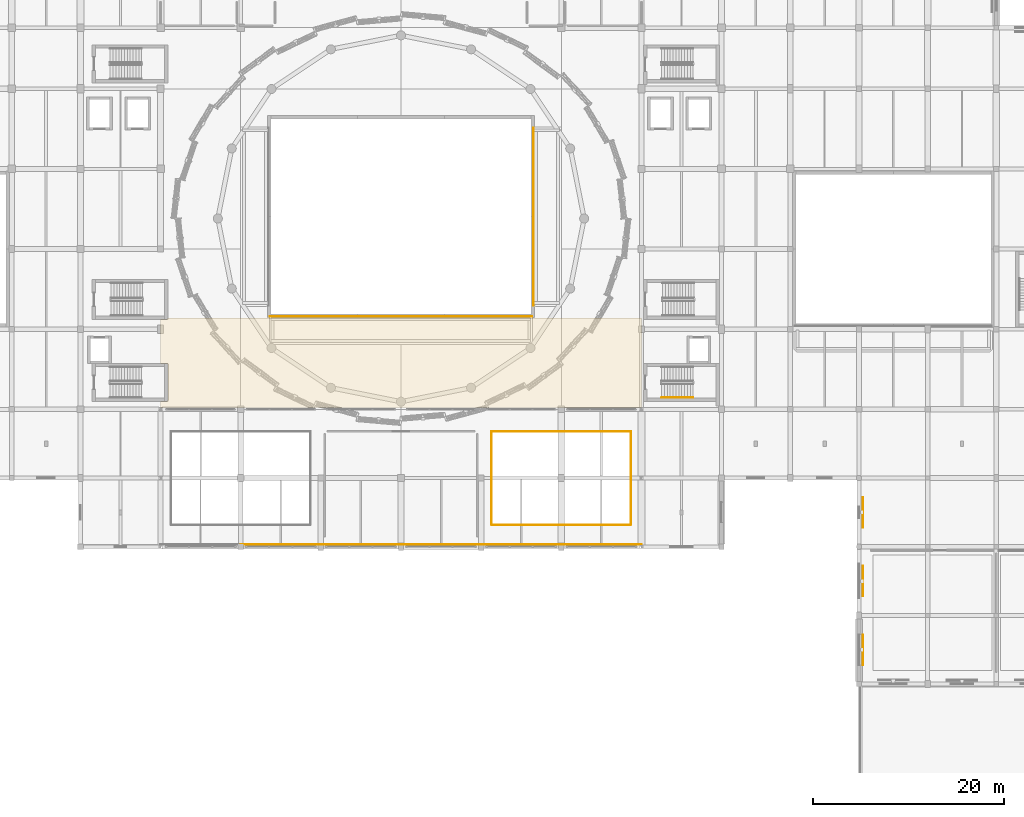
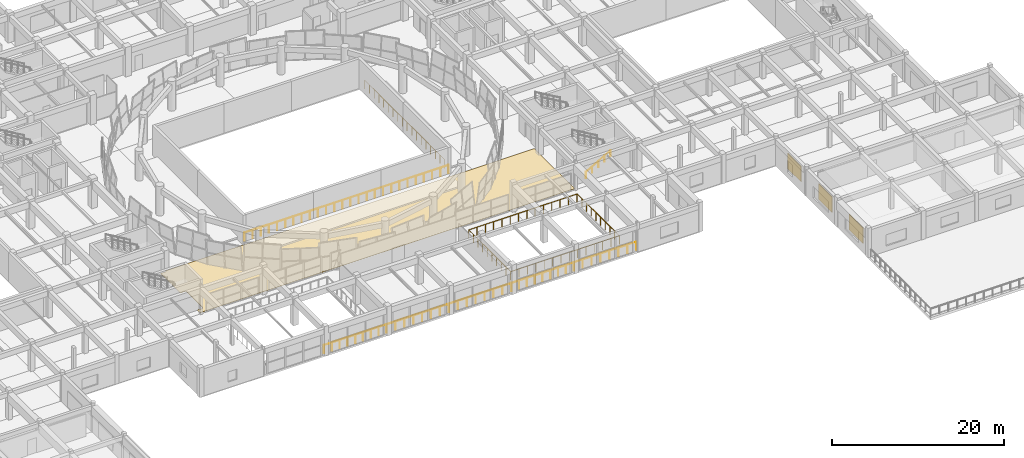
# One storey, part 63 of 71: 10 railings, 3 shading devices, 1 covering.
"""IFC4 building model written with IfcOpenShell, lengths in metres."""

from ifc_helpers import new_model, si_unit, direction, frame, origin, origin_2d, place, context, subcontext, project, spatial, polyline, rectangle, circle, outline, extrude, material, layer, layer_set, type_object, element, save


model = new_model("IFC4")

# Units and contexts
model_context = context("Model", 3, precision=1e-05, world=origin(), true_north=direction((0.0, 1.0)))
body_context = subcontext(model_context, "Body", "Model", "MODEL_VIEW")
ifc_project = project(units=[si_unit("LENGTHUNIT", "METRE"), si_unit("AREAUNIT", "SQUARE_METRE"), si_unit("VOLUMEUNIT", "CUBIC_METRE"), si_unit("PLANEANGLEUNIT", "RADIAN"), si_unit("MASSUNIT", "GRAM", prefix="KILO")], contexts=[model_context])

# Site, building, storey
site_placement = place(None, origin())
site = spatial("IfcSite", under=ifc_project, at=site_placement, CompositionType="ELEMENT")
building_placement = place(site_placement, origin())
building = spatial("IfcBuilding", under=site, at=building_placement, Name="Korsvaeld Concert Hall", CompositionType="ELEMENT")
storey_placement = place(building_placement, frame((0.0, 0.0, 4.800048828125)))
storey = spatial("IfcBuildingStorey", under=building, at=storey_placement, Name="L01", CompositionType="ELEMENT", Elevation=4.800048828125)

# Covering
ifc_material_1 = material(Name="Sprung European oak stage and foyer flooring")
ifc_layer_1 = layer(ifc_material_1, 0.034912109375)
ifc_layer_set_1 = layer_set([ifc_layer_1], Name="Sprung European oak stage and foyer flooring")
covering_type = type_object("IfcCoveringType", Name="COV-FLOOR-OAK", PredefinedType="FLOORING", material=ifc_layer_set_1)
covering_placement = place(storey_placement, origin())
element("IfcCovering", 1, at=covering_placement, inside=storey, type_object=covering_type, Name="Sprung oak acoustic floor L01-03", PredefinedType="FLOORING", context=body_context, shape_type="SweptSolid", body=[
    extrude(outline(polyline([(109.199951171875, 52.800048828125), (109.199951171875, 43.39990234375), (58.800048828125, 43.39990234375), (58.800048828125, 44.02001953125), (59.39990234375, 44.02001953125), (59.41748046875, 44.02099609375), (59.43505859375, 44.0234375), (59.452392578125, 44.02783203125), (59.468994140625, 44.03369140625), (59.48486328125, 44.041259765625), (59.5, 44.05029296875), (59.51416015625, 44.060791015625), (59.52734375, 44.07275390625), (59.5390625, 44.085693359375), (59.5498046875, 44.10009765625), (59.55859375, 44.114990234375), (59.56640625, 44.131103515625), (59.572265625, 44.147705078125), (59.576416015625, 44.164794921875), (59.5791015625, 44.182373046875), (59.580078125, 44.199951171875), (59.580078125, 47.840087890625), (59.5791015625, 47.857666015625), (59.576416015625, 47.875), (59.572265625, 47.892333984375), (59.56640625, 47.908935546875), (59.55859375, 47.9248046875), (59.5498046875, 47.93994140625), (59.5390625, 47.9541015625), (59.52734375, 47.96728515625), (59.51416015625, 47.97900390625), (59.5, 47.98974609375), (59.48486328125, 47.998779296875), (59.468994140625, 48.00634765625), (59.452392578125, 48.01220703125), (59.43505859375, 48.0166015625), (59.41748046875, 48.01904296875), (59.39990234375, 48.02001953125), (58.800048828125, 48.02001953125), (58.800048828125, 52.6201171875), (59.39990234375, 52.6201171875), (59.41748046875, 52.620849609375), (59.43505859375, 52.62353515625), (59.452392578125, 52.627685546875), (59.468994140625, 52.6337890625), (59.48486328125, 52.641357421875), (59.5, 52.650390625), (59.51416015625, 52.660888671875), (59.52734375, 52.672607421875), (59.5390625, 52.685791015625), (59.5498046875, 52.699951171875), (59.55859375, 52.715087890625), (59.56640625, 52.731201171875), (59.572265625, 52.747802734375), (59.576416015625, 52.764892578125), (59.5791015625, 52.782470703125), (59.580078125, 52.800048828125), (109.199951171875, 52.800048828125)])), origin(), (0.0, 0.0, 1.0), 0.034912109375),
])

# Railings
ifc_material_2 = material(Name="European oak and bronze stair handrail")
railing_type_1 = type_object("IfcRailingType", Name="RL-STAIR-HAND-90", PredefinedType="HANDRAIL", material=ifc_material_2)
railing_1_placement = place(storey_placement, frame((111.320068359375, 44.419921875, 0.175048828125)))
element("IfcRailing", 2, at=railing_1_placement, inside=storey, type_object=railing_type_1, Name="L01 ST-K4 stair handrail 1", PredefinedType="HANDRAIL", context=body_context, shape_type="SweptSolid", body=[
    extrude(circle(Radius=0.02392578125, at=origin_2d()), frame((0.0, 0.0, 0.8759765625), z_axis=(0.863804395585, 0.0, 0.503827317807), x_axis=(0.0, 1.0, 0.0)), (0.0, 0.0, 1.0), 3.8203125),
    extrude(circle(Radius=0.02099609375, at=origin_2d()), origin(), (0.0, 0.0, 1.0), 0.851806640625),
    extrude(circle(Radius=0.02099609375, at=origin_2d()), frame((0.824951171875, 0.0, 0.481201171875)), (0.0, 0.0, 1.0), 0.851806640625),
    extrude(circle(Radius=0.02099609375, at=origin_2d()), frame((1.64990234375, 0.0, 0.96240234375)), (0.0, 0.0, 1.0), 0.851806640625),
    extrude(circle(Radius=0.02099609375, at=origin_2d()), frame((2.47509765625, 0.0, 1.443603515625)), (0.0, 0.0, 1.0), 0.851806640625),
    extrude(circle(Radius=0.02099609375, at=origin_2d()), frame((3.300048828125, 0.0, 1.9248046875)), (0.0, 0.0, 1.0), 0.851806640625),
])
ifc_material_3 = material(Name="Anodised architectural bronze guardrail")
railing_type_2 = type_object("IfcRailingType", Name="RL-TERR-GUARD-120", PredefinedType="GUARDRAIL", material=ifc_material_3)
railing_2_placement = place(storey_placement, frame((109.199951171875, 29.050048828125, 0.0)))
element("IfcRailing", 3, at=railing_2_placement, inside=storey, type_object=railing_type_2, Name="Wintergarden glazed front guardrail CW-FOY-L01-07", PredefinedType="GUARDRAIL", context=body_context, shape_type="SweptSolid", body=[
    extrude(circle(Radius=0.02392578125, at=origin_2d()), frame((0.0, 0.0, 1.17578125), z_axis=(-1.0, 0.0, 0.0), x_axis=(0.0, -1.0, 0.0)), (0.0, 0.0, 1.0), 8.39990234375),
    extrude(circle(Radius=0.02099609375, at=origin_2d()), origin(), (0.0, 0.0, 1.0), 1.15185546875),
    extrude(circle(Radius=0.02099609375, at=origin_2d()), frame((-1.199951171875, 0.0, 0.0)), (0.0, 0.0, 1.0), 1.15185546875),
    extrude(circle(Radius=0.02099609375, at=origin_2d()), frame((-2.39990234375, 0.0, 0.0)), (0.0, 0.0, 1.0), 1.15185546875),
    extrude(circle(Radius=0.02099609375, at=origin_2d()), frame((-3.599853515625, 0.0, 0.0)), (0.0, 0.0, 1.0), 1.15185546875),
    extrude(circle(Radius=0.02099609375, at=origin_2d()), frame((-4.800048828125, 0.0, 0.0)), (0.0, 0.0, 1.0), 1.15185546875),
    extrude(circle(Radius=0.02099609375, at=origin_2d()), frame((-6.0, 0.0, 0.0)), (0.0, 0.0, 1.0), 1.15185546875),
    extrude(circle(Radius=0.02099609375, at=origin_2d()), frame((-7.199951171875, 0.0, 0.0)), (0.0, 0.0, 1.0), 1.15185546875),
    extrude(circle(Radius=0.02099609375, at=origin_2d()), frame((-8.39990234375, 0.0, 0.0)), (0.0, 0.0, 1.0), 1.15185546875),
])
railing_3_placement = place(storey_placement, frame((100.800048828125, 29.050048828125, 0.0)))
element("IfcRailing", 4, at=railing_3_placement, inside=storey, type_object=railing_type_2, Name="Wintergarden glazed front guardrail CW-FOY-L01-08", PredefinedType="GUARDRAIL", context=body_context, shape_type="SweptSolid", body=[
    extrude(circle(Radius=0.02392578125, at=origin_2d()), frame((0.0, 0.0, 1.17578125), z_axis=(-1.0, 0.0, 0.0), x_axis=(0.0, -1.0, 0.0)), (0.0, 0.0, 1.0), 8.400146484375),
    extrude(circle(Radius=0.02099609375, at=origin_2d()), origin(), (0.0, 0.0, 1.0), 1.15185546875),
    extrude(circle(Radius=0.02099609375, at=origin_2d()), frame((-1.050048828125, 0.0, 0.0)), (0.0, 0.0, 1.0), 1.15185546875),
    extrude(circle(Radius=0.02099609375, at=origin_2d()), frame((-2.10009765625, 0.0, 0.0)), (0.0, 0.0, 1.0), 1.15185546875),
    extrude(circle(Radius=0.02099609375, at=origin_2d()), frame((-3.150146484375, 0.0, 0.0)), (0.0, 0.0, 1.0), 1.15185546875),
    extrude(circle(Radius=0.02099609375, at=origin_2d()), frame((-4.2001953125, 0.0, 0.0)), (0.0, 0.0, 1.0), 1.15185546875),
    extrude(circle(Radius=0.02099609375, at=origin_2d()), frame((-5.25, 0.0, 0.0)), (0.0, 0.0, 1.0), 1.15185546875),
    extrude(circle(Radius=0.02099609375, at=origin_2d()), frame((-6.300048828125, 0.0, 0.0)), (0.0, 0.0, 1.0), 1.15185546875),
    extrude(circle(Radius=0.02099609375, at=origin_2d()), frame((-7.35009765625, 0.0, 0.0)), (0.0, 0.0, 1.0), 1.15185546875),
    extrude(circle(Radius=0.02099609375, at=origin_2d()), frame((-8.400146484375, 0.0, 0.0)), (0.0, 0.0, 1.0), 1.15185546875),
])
for number, where, name in (
    (5, (92.39990234375, 29.050048828125, 0.0), "Wintergarden glazed front guardrail CW-FOY-L01-09"),
    (6, (84.0, 29.050048828125, 0.0), "Wintergarden glazed front guardrail CW-FOY-L01-10"),
):
    element("IfcRailing", number, at=place(storey_placement, frame(where)), inside=storey, type_object=railing_type_2, Name=name, PredefinedType="GUARDRAIL", context=body_context, shape_type="SweptSolid", body=[
        extrude(circle(Radius=0.02392578125, at=origin_2d()), frame((0.0, 0.0, 1.17578125), z_axis=(-1.0, 0.0, 0.0), x_axis=(0.0, -1.0, 0.0)), (0.0, 0.0, 1.0), 8.39990234375),
        extrude(circle(Radius=0.02099609375, at=origin_2d()), origin(), (0.0, 0.0, 1.0), 1.15185546875),
        extrude(circle(Radius=0.02099609375, at=origin_2d()), frame((-1.199951171875, 0.0, 0.0)), (0.0, 0.0, 1.0), 1.15185546875),
        extrude(circle(Radius=0.02099609375, at=origin_2d()), frame((-2.39990234375, 0.0, 0.0)), (0.0, 0.0, 1.0), 1.15185546875),
        extrude(circle(Radius=0.02099609375, at=origin_2d()), frame((-3.599853515625, 0.0, 0.0)), (0.0, 0.0, 1.0), 1.15185546875),
        extrude(circle(Radius=0.02099609375, at=origin_2d()), frame((-4.800048828125, 0.0, 0.0)), (0.0, 0.0, 1.0), 1.15185546875),
        extrude(circle(Radius=0.02099609375, at=origin_2d()), frame((-6.0, 0.0, 0.0)), (0.0, 0.0, 1.0), 1.15185546875),
        extrude(circle(Radius=0.02099609375, at=origin_2d()), frame((-7.199951171875, 0.0, 0.0)), (0.0, 0.0, 1.0), 1.15185546875),
        extrude(circle(Radius=0.02099609375, at=origin_2d()), frame((-8.39990234375, 0.0, 0.0)), (0.0, 0.0, 1.0), 1.15185546875),
    ])
railing_4_placement = place(storey_placement, frame((75.60009765625, 29.050048828125, 0.0)))
element("IfcRailing", 7, at=railing_4_placement, inside=storey, type_object=railing_type_2, Name="Wintergarden glazed front guardrail CW-FOY-L01-11", PredefinedType="GUARDRAIL", context=body_context, shape_type="SweptSolid", body=[
    extrude(circle(Radius=0.02392578125, at=origin_2d()), frame((0.0, 0.0, 1.17578125), z_axis=(-1.0, 0.0, 0.0), x_axis=(0.0, -1.0, 0.0)), (0.0, 0.0, 1.0), 8.400146484375),
    extrude(circle(Radius=0.02099609375, at=origin_2d()), origin(), (0.0, 0.0, 1.0), 1.15185546875),
    extrude(circle(Radius=0.02099609375, at=origin_2d()), frame((-1.050048828125, 0.0, 0.0)), (0.0, 0.0, 1.0), 1.15185546875),
    extrude(circle(Radius=0.02099609375, at=origin_2d()), frame((-2.10009765625, 0.0, 0.0)), (0.0, 0.0, 1.0), 1.15185546875),
    extrude(circle(Radius=0.02099609375, at=origin_2d()), frame((-3.150146484375, 0.0, 0.0)), (0.0, 0.0, 1.0), 1.15185546875),
    extrude(circle(Radius=0.02099609375, at=origin_2d()), frame((-4.2001953125, 0.0, 0.0)), (0.0, 0.0, 1.0), 1.15185546875),
    extrude(circle(Radius=0.02099609375, at=origin_2d()), frame((-5.25, 0.0, 0.0)), (0.0, 0.0, 1.0), 1.15185546875),
    extrude(circle(Radius=0.02099609375, at=origin_2d()), frame((-6.300048828125, 0.0, 0.0)), (0.0, 0.0, 1.0), 1.15185546875),
    extrude(circle(Radius=0.02099609375, at=origin_2d()), frame((-7.35009765625, 0.0, 0.0)), (0.0, 0.0, 1.0), 1.15185546875),
    extrude(circle(Radius=0.02099609375, at=origin_2d()), frame((-8.400146484375, 0.0, 0.0)), (0.0, 0.0, 1.0), 1.15185546875),
])
ifc_material_4 = material(Name="Acoustic laminated glass and oak auditorium balustrade", Category="glass")
railing_type_3 = type_object("IfcRailingType", Name="RL-VOID-BAL-120", PredefinedType="BALUSTRADE", material=ifc_material_4)
railing_5_placement = place(storey_placement, frame((93.5, 31.10009765625, 0.0)))
element("IfcRailing", 8, at=railing_5_placement, inside=storey, type_object=railing_type_3, Name="Wintergarden atrium void balustrade VOID_WG_E_L01 SE", PredefinedType="BALUSTRADE", context=body_context, shape_type="SweptSolid", body=[
    extrude(circle(Radius=0.02392578125, at=origin_2d()), frame((0.0, 0.0, 1.17578125), z_axis=(1.0, 0.0, 0.0), x_axis=(0.0, 1.0, 0.0)), (0.0, 0.0, 1.0), 14.60009765625),
    extrude(circle(Radius=0.02392578125, at=origin_2d()), frame((14.60009765625, 0.0, 1.17578125), z_axis=(0.0, 1.0, 0.0), x_axis=(-1.0, 0.0, 0.0)), (0.0, 0.0, 1.0), 9.7998046875),
    extrude(circle(Radius=0.02099609375, at=origin_2d()), origin(), (0.0, 0.0, 1.0), 1.15185546875),
    extrude(circle(Radius=0.02099609375, at=origin_2d()), frame((1.123046875, 0.0, 0.0)), (0.0, 0.0, 1.0), 1.15185546875),
    extrude(circle(Radius=0.02099609375, at=origin_2d()), frame((2.24609375, 0.0, 0.0)), (0.0, 0.0, 1.0), 1.15185546875),
    extrude(circle(Radius=0.02099609375, at=origin_2d()), frame((3.369140625, 0.0, 0.0)), (0.0, 0.0, 1.0), 1.15185546875),
    extrude(circle(Radius=0.02099609375, at=origin_2d()), frame((4.492431640625, 0.0, 0.0)), (0.0, 0.0, 1.0), 1.15185546875),
    extrude(circle(Radius=0.02099609375, at=origin_2d()), frame((5.615478515625, 0.0, 0.0)), (0.0, 0.0, 1.0), 1.15185546875),
    extrude(circle(Radius=0.02099609375, at=origin_2d()), frame((6.738525390625, 0.0, 0.0)), (0.0, 0.0, 1.0), 1.15185546875),
    extrude(circle(Radius=0.02099609375, at=origin_2d()), frame((7.861572265625, 0.0, 0.0)), (0.0, 0.0, 1.0), 1.15185546875),
    extrude(circle(Radius=0.02099609375, at=origin_2d()), frame((8.984619140625, 0.0, 0.0)), (0.0, 0.0, 1.0), 1.15185546875),
    extrude(circle(Radius=0.02099609375, at=origin_2d()), frame((10.107666015625, 0.0, 0.0)), (0.0, 0.0, 1.0), 1.15185546875),
    extrude(circle(Radius=0.02099609375, at=origin_2d()), frame((11.23095703125, 0.0, 0.0)), (0.0, 0.0, 1.0), 1.15185546875),
    extrude(circle(Radius=0.02099609375, at=origin_2d()), frame((12.35400390625, 0.0, 0.0)), (0.0, 0.0, 1.0), 1.15185546875),
    extrude(circle(Radius=0.02099609375, at=origin_2d()), frame((13.47705078125, 0.0, 0.0)), (0.0, 0.0, 1.0), 1.15185546875),
    extrude(circle(Radius=0.02099609375, at=origin_2d()), frame((14.60009765625, 0.0, 0.0)), (0.0, 0.0, 1.0), 1.15185546875),
    extrude(circle(Radius=0.02099609375, at=origin_2d()), frame((14.60009765625, 1.0888671875, 0.0)), (0.0, 0.0, 1.0), 1.15185546875),
    extrude(circle(Radius=0.02099609375, at=origin_2d()), frame((14.60009765625, 2.177734375, 0.0)), (0.0, 0.0, 1.0), 1.15185546875),
    extrude(circle(Radius=0.02099609375, at=origin_2d()), frame((14.60009765625, 3.2666015625, 0.0)), (0.0, 0.0, 1.0), 1.15185546875),
    extrude(circle(Radius=0.02099609375, at=origin_2d()), frame((14.60009765625, 4.35546875, 0.0)), (0.0, 0.0, 1.0), 1.15185546875),
    extrude(circle(Radius=0.02099609375, at=origin_2d()), frame((14.60009765625, 5.4443359375, 0.0)), (0.0, 0.0, 1.0), 1.15185546875),
    extrude(circle(Radius=0.02099609375, at=origin_2d()), frame((14.60009765625, 6.533203125, 0.0)), (0.0, 0.0, 1.0), 1.15185546875),
    extrude(circle(Radius=0.02099609375, at=origin_2d()), frame((14.60009765625, 7.6220703125, 0.0)), (0.0, 0.0, 1.0), 1.15185546875),
    extrude(circle(Radius=0.02099609375, at=origin_2d()), frame((14.60009765625, 8.7109375, 0.0)), (0.0, 0.0, 1.0), 1.15185546875),
    extrude(circle(Radius=0.02099609375, at=origin_2d()), frame((14.60009765625, 9.7998046875, 0.0)), (0.0, 0.0, 1.0), 1.15185546875),
])
railing_6_placement = place(storey_placement, frame((108.02001953125, 40.89990234375, 0.0)))
element("IfcRailing", 9, at=railing_6_placement, inside=storey, type_object=railing_type_3, Name="Wintergarden atrium void balustrade VOID_WG_E_L01 NW", PredefinedType="BALUSTRADE", context=body_context, shape_type="SweptSolid", body=[
    extrude(circle(Radius=0.02392578125, at=origin_2d()), frame((0.0, 0.0, 1.17578125), z_axis=(-1.0, 0.0, 0.0), x_axis=(0.0, -1.0, 0.0)), (0.0, 0.0, 1.0), 14.52001953125),
    extrude(circle(Radius=0.02392578125, at=origin_2d()), frame((-14.52001953125, 0.0, 1.17578125), z_axis=(0.0, -1.0, 0.0), x_axis=(1.0, 0.0, 0.0)), (0.0, 0.0, 1.0), 9.719970703125),
    extrude(circle(Radius=0.02099609375, at=origin_2d()), origin(), (0.0, 0.0, 1.0), 1.15185546875),
    extrude(circle(Radius=0.02099609375, at=origin_2d()), frame((-1.116943359375, 0.0, 0.0)), (0.0, 0.0, 1.0), 1.15185546875),
    extrude(circle(Radius=0.02099609375, at=origin_2d()), frame((-2.23388671875, 0.0, 0.0)), (0.0, 0.0, 1.0), 1.15185546875),
    extrude(circle(Radius=0.02099609375, at=origin_2d()), frame((-3.350830078125, 0.0, 0.0)), (0.0, 0.0, 1.0), 1.15185546875),
    extrude(circle(Radius=0.02099609375, at=origin_2d()), frame((-4.4677734375, 0.0, 0.0)), (0.0, 0.0, 1.0), 1.15185546875),
    extrude(circle(Radius=0.02099609375, at=origin_2d()), frame((-5.584716796875, 0.0, 0.0)), (0.0, 0.0, 1.0), 1.15185546875),
    extrude(circle(Radius=0.02099609375, at=origin_2d()), frame((-6.70166015625, 0.0, 0.0)), (0.0, 0.0, 1.0), 1.15185546875),
    extrude(circle(Radius=0.02099609375, at=origin_2d()), frame((-7.818359375, 0.0, 0.0)), (0.0, 0.0, 1.0), 1.15185546875),
    extrude(circle(Radius=0.02099609375, at=origin_2d()), frame((-8.935302734375, 0.0, 0.0)), (0.0, 0.0, 1.0), 1.15185546875),
    extrude(circle(Radius=0.02099609375, at=origin_2d()), frame((-10.05224609375, 0.0, 0.0)), (0.0, 0.0, 1.0), 1.15185546875),
    extrude(circle(Radius=0.02099609375, at=origin_2d()), frame((-11.169189453125, 0.0, 0.0)), (0.0, 0.0, 1.0), 1.15185546875),
    extrude(circle(Radius=0.02099609375, at=origin_2d()), frame((-12.2861328125, 0.0, 0.0)), (0.0, 0.0, 1.0), 1.15185546875),
    extrude(circle(Radius=0.02099609375, at=origin_2d()), frame((-13.403076171875, 0.0, 0.0)), (0.0, 0.0, 1.0), 1.15185546875),
    extrude(circle(Radius=0.02099609375, at=origin_2d()), frame((-14.52001953125, 0.0, 0.0)), (0.0, 0.0, 1.0), 1.15185546875),
    extrude(circle(Radius=0.02099609375, at=origin_2d()), frame((-14.52001953125, -1.080078125, 0.0)), (0.0, 0.0, 1.0), 1.15185546875),
    extrude(circle(Radius=0.02099609375, at=origin_2d()), frame((-14.52001953125, -2.159912109375, 0.0)), (0.0, 0.0, 1.0), 1.15185546875),
    extrude(circle(Radius=0.02099609375, at=origin_2d()), frame((-14.52001953125, -3.239990234375, 0.0)), (0.0, 0.0, 1.0), 1.15185546875),
    extrude(circle(Radius=0.02099609375, at=origin_2d()), frame((-14.52001953125, -4.320068359375, 0.0)), (0.0, 0.0, 1.0), 1.15185546875),
    extrude(circle(Radius=0.02099609375, at=origin_2d()), frame((-14.52001953125, -5.39990234375, 0.0)), (0.0, 0.0, 1.0), 1.15185546875),
    extrude(circle(Radius=0.02099609375, at=origin_2d()), frame((-14.52001953125, -6.47998046875, 0.0)), (0.0, 0.0, 1.0), 1.15185546875),
    extrude(circle(Radius=0.02099609375, at=origin_2d()), frame((-14.52001953125, -7.56005859375, 0.0)), (0.0, 0.0, 1.0), 1.15185546875),
    extrude(circle(Radius=0.02099609375, at=origin_2d()), frame((-14.52001953125, -8.639892578125, 0.0)), (0.0, 0.0, 1.0), 1.15185546875),
    extrude(circle(Radius=0.02099609375, at=origin_2d()), frame((-14.52001953125, -9.719970703125, 0.0)), (0.0, 0.0, 1.0), 1.15185546875),
])
railing_7_placement = place(storey_placement, frame((97.8798828125, 54.080078125, 0.449951171875)))
element("IfcRailing", 10, at=railing_7_placement, inside=storey, type_object=railing_type_3, Name="Auditorium acoustic balustrade V1-CIRC1-E", PredefinedType="BALUSTRADE", context=body_context, shape_type="SweptSolid", body=[
    extrude(circle(Radius=0.02392578125, at=origin_2d()), frame((0.0, 0.0, 1.17578125), z_axis=(0.0, 1.0, 0.0), x_axis=(-1.0, 0.0, 0.0)), (0.0, 0.0, 1.0), 18.639892578125),
    extrude(circle(Radius=0.02099609375, at=origin_2d()), origin(), (0.0, 0.0, 1.0), 1.15185546875),
    extrude(circle(Radius=0.02099609375, at=origin_2d()), frame((0.0, 1.096435546875, 0.0)), (0.0, 0.0, 1.0), 1.15185546875),
    extrude(circle(Radius=0.02099609375, at=origin_2d()), frame((0.0, 2.19287109375, 0.0)), (0.0, 0.0, 1.0), 1.15185546875),
    extrude(circle(Radius=0.02099609375, at=origin_2d()), frame((0.0, 3.289306640625, 0.0)), (0.0, 0.0, 1.0), 1.15185546875),
    extrude(circle(Radius=0.02099609375, at=origin_2d()), frame((0.0, 4.3857421875, 0.0)), (0.0, 0.0, 1.0), 1.15185546875),
    extrude(circle(Radius=0.02099609375, at=origin_2d()), frame((0.0, 5.482421875, 0.0)), (0.0, 0.0, 1.0), 1.15185546875),
    extrude(circle(Radius=0.02099609375, at=origin_2d()), frame((0.0, 6.578857421875, 0.0)), (0.0, 0.0, 1.0), 1.15185546875),
    extrude(circle(Radius=0.02099609375, at=origin_2d()), frame((0.0, 7.67529296875, 0.0)), (0.0, 0.0, 1.0), 1.15185546875),
    extrude(circle(Radius=0.02099609375, at=origin_2d()), frame((0.0, 8.771728515625, 0.0)), (0.0, 0.0, 1.0), 1.15185546875),
    extrude(circle(Radius=0.02099609375, at=origin_2d()), frame((0.0, 9.8681640625, 0.0)), (0.0, 0.0, 1.0), 1.15185546875),
    extrude(circle(Radius=0.02099609375, at=origin_2d()), frame((0.0, 10.964599609375, 0.0)), (0.0, 0.0, 1.0), 1.15185546875),
    extrude(circle(Radius=0.02099609375, at=origin_2d()), frame((0.0, 12.06103515625, 0.0)), (0.0, 0.0, 1.0), 1.15185546875),
    extrude(circle(Radius=0.02099609375, at=origin_2d()), frame((0.0, 13.157470703125, 0.0)), (0.0, 0.0, 1.0), 1.15185546875),
    extrude(circle(Radius=0.02099609375, at=origin_2d()), frame((0.0, 14.254150390625, 0.0)), (0.0, 0.0, 1.0), 1.15185546875),
    extrude(circle(Radius=0.02099609375, at=origin_2d()), frame((0.0, 15.3505859375, 0.0)), (0.0, 0.0, 1.0), 1.15185546875),
    extrude(circle(Radius=0.02099609375, at=origin_2d()), frame((0.0, 16.447021484375, 0.0)), (0.0, 0.0, 1.0), 1.15185546875),
    extrude(circle(Radius=0.02099609375, at=origin_2d()), frame((0.0, 17.54345703125, 0.0)), (0.0, 0.0, 1.0), 1.15185546875),
    extrude(circle(Radius=0.02099609375, at=origin_2d()), frame((0.0, 18.639892578125, 0.0)), (0.0, 0.0, 1.0), 1.15185546875),
])
railing_8_placement = place(storey_placement, frame((70.280029296875, 52.919921875, 0.449951171875)))
element("IfcRailing", 11, at=railing_8_placement, inside=storey, type_object=railing_type_3, Name="Auditorium acoustic balustrade V1-CIRC1-S", PredefinedType="BALUSTRADE", context=body_context, shape_type="SweptSolid", body=[
    extrude(circle(Radius=0.02392578125, at=origin_2d()), frame((0.0, 0.0, 1.17578125), z_axis=(1.0, 0.0, 0.0), x_axis=(0.0, 1.0, 0.0)), (0.0, 0.0, 1.0), 27.43994140625),
    extrude(circle(Radius=0.02099609375, at=origin_2d()), origin(), (0.0, 0.0, 1.0), 1.15185546875),
    extrude(circle(Radius=0.02099609375, at=origin_2d()), frame((1.09765625, 0.0, 0.0)), (0.0, 0.0, 1.0), 1.15185546875),
    extrude(circle(Radius=0.02099609375, at=origin_2d()), frame((2.1953125, 0.0, 0.0)), (0.0, 0.0, 1.0), 1.15185546875),
    extrude(circle(Radius=0.02099609375, at=origin_2d()), frame((3.292724609375, 0.0, 0.0)), (0.0, 0.0, 1.0), 1.15185546875),
    extrude(circle(Radius=0.02099609375, at=origin_2d()), frame((4.390380859375, 0.0, 0.0)), (0.0, 0.0, 1.0), 1.15185546875),
    extrude(circle(Radius=0.02099609375, at=origin_2d()), frame((5.488037109375, 0.0, 0.0)), (0.0, 0.0, 1.0), 1.15185546875),
    extrude(circle(Radius=0.02099609375, at=origin_2d()), frame((6.585693359375, 0.0, 0.0)), (0.0, 0.0, 1.0), 1.15185546875),
    extrude(circle(Radius=0.02099609375, at=origin_2d()), frame((7.68310546875, 0.0, 0.0)), (0.0, 0.0, 1.0), 1.15185546875),
    extrude(circle(Radius=0.02099609375, at=origin_2d()), frame((8.78076171875, 0.0, 0.0)), (0.0, 0.0, 1.0), 1.15185546875),
    extrude(circle(Radius=0.02099609375, at=origin_2d()), frame((9.87841796875, 0.0, 0.0)), (0.0, 0.0, 1.0), 1.15185546875),
    extrude(circle(Radius=0.02099609375, at=origin_2d()), frame((10.97607421875, 0.0, 0.0)), (0.0, 0.0, 1.0), 1.15185546875),
    extrude(circle(Radius=0.02099609375, at=origin_2d()), frame((12.073486328125, 0.0, 0.0)), (0.0, 0.0, 1.0), 1.15185546875),
    extrude(circle(Radius=0.02099609375, at=origin_2d()), frame((13.171142578125, 0.0, 0.0)), (0.0, 0.0, 1.0), 1.15185546875),
    extrude(circle(Radius=0.02099609375, at=origin_2d()), frame((14.268798828125, 0.0, 0.0)), (0.0, 0.0, 1.0), 1.15185546875),
    extrude(circle(Radius=0.02099609375, at=origin_2d()), frame((15.366455078125, 0.0, 0.0)), (0.0, 0.0, 1.0), 1.15185546875),
    extrude(circle(Radius=0.02099609375, at=origin_2d()), frame((16.4638671875, 0.0, 0.0)), (0.0, 0.0, 1.0), 1.15185546875),
    extrude(circle(Radius=0.02099609375, at=origin_2d()), frame((17.5615234375, 0.0, 0.0)), (0.0, 0.0, 1.0), 1.15185546875),
    extrude(circle(Radius=0.02099609375, at=origin_2d()), frame((18.6591796875, 0.0, 0.0)), (0.0, 0.0, 1.0), 1.15185546875),
    extrude(circle(Radius=0.02099609375, at=origin_2d()), frame((19.7568359375, 0.0, 0.0)), (0.0, 0.0, 1.0), 1.15185546875),
    extrude(circle(Radius=0.02099609375, at=origin_2d()), frame((20.854248046875, 0.0, 0.0)), (0.0, 0.0, 1.0), 1.15185546875),
    extrude(circle(Radius=0.02099609375, at=origin_2d()), frame((21.951904296875, 0.0, 0.0)), (0.0, 0.0, 1.0), 1.15185546875),
    extrude(circle(Radius=0.02099609375, at=origin_2d()), frame((23.049560546875, 0.0, 0.0)), (0.0, 0.0, 1.0), 1.15185546875),
    extrude(circle(Radius=0.02099609375, at=origin_2d()), frame((24.147216796875, 0.0, 0.0)), (0.0, 0.0, 1.0), 1.15185546875),
    extrude(circle(Radius=0.02099609375, at=origin_2d()), frame((25.24462890625, 0.0, 0.0)), (0.0, 0.0, 1.0), 1.15185546875),
    extrude(circle(Radius=0.02099609375, at=origin_2d()), frame((26.34228515625, 0.0, 0.0)), (0.0, 0.0, 1.0), 1.15185546875),
    extrude(circle(Radius=0.02099609375, at=origin_2d()), frame((27.43994140625, 0.0, 0.0)), (0.0, 0.0, 1.0), 1.15185546875),
])

# Shading devices
ifc_material_5 = material(Name="Anodised architectural bronze pierced jali screen")
ifc_layer_2 = layer(ifc_material_5, 0.080078125)
ifc_layer_set_2 = layer_set([ifc_layer_2], Name="Anodised architectural bronze pierced jali screen")
shading_device_type = type_object("IfcShadingDeviceType", Name="SHD-JALI-BRONZE", PredefinedType="JALOUSIE", material=ifc_layer_set_2)
for number, where, z_axis, x_axis, name in (
    (12, (132.4150390625, 18.0, 0.5), (0.0, 0.0, 1.0), (0.0, 1.0, 0.0), "Bronze pierced jali brise-soleil screen L01-53"),
    (13, (132.429931640625, 25.199951171875, 0.5), (0.0, 0.0, 1.0), (0.0, 1.0, 0.0), "Bronze pierced jali brise-soleil screen L01-54"),
    (14, (132.4150390625, 32.39990234375, 0.5), (0.0, 0.0, 1.0), (0.0, 1.0, 0.0), "Bronze pierced jali brise-soleil screen L01-55"),
):
    element("IfcShadingDevice", number, at=place(storey_placement, frame(where, z_axis=z_axis, x_axis=x_axis)), inside=storey, type_object=shading_device_type, Name=name, PredefinedType="JALOUSIE", context=body_context, shape_type="SweptSolid", body=[
        extrude(rectangle(XDim=3.199951171875, YDim=0.080078125, at=origin_2d()), origin(), (0.0, 0.0, 1.0), 2.199951171875),
    ])

save(model, "model.ifc")
